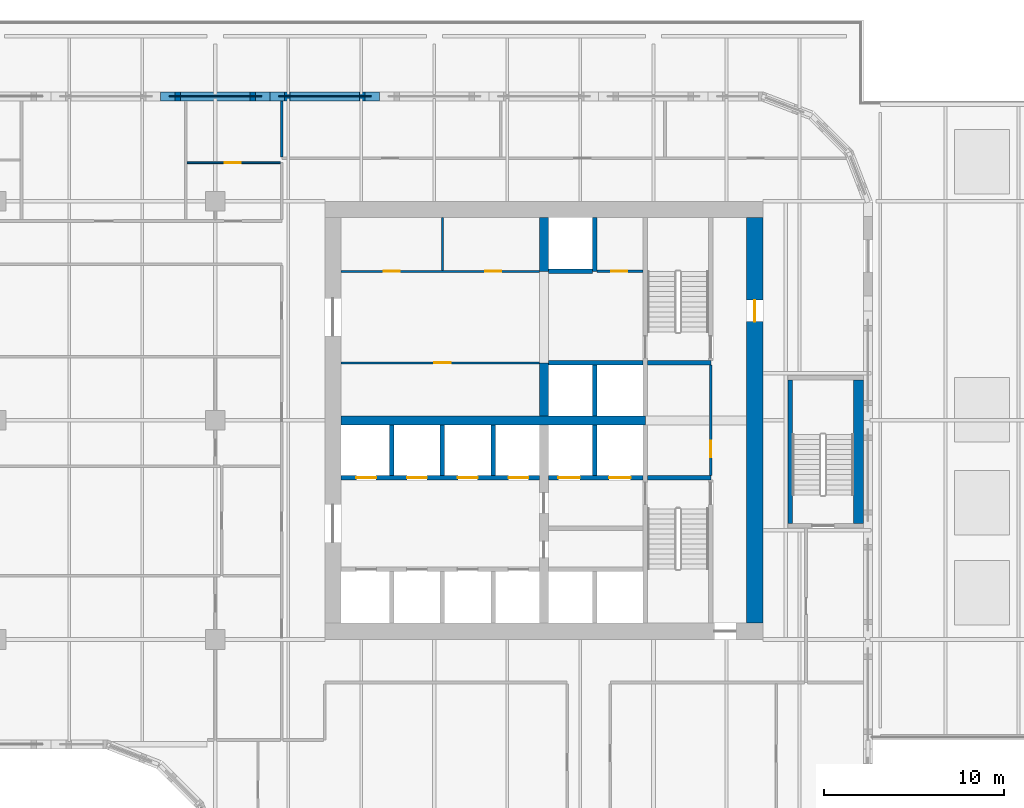
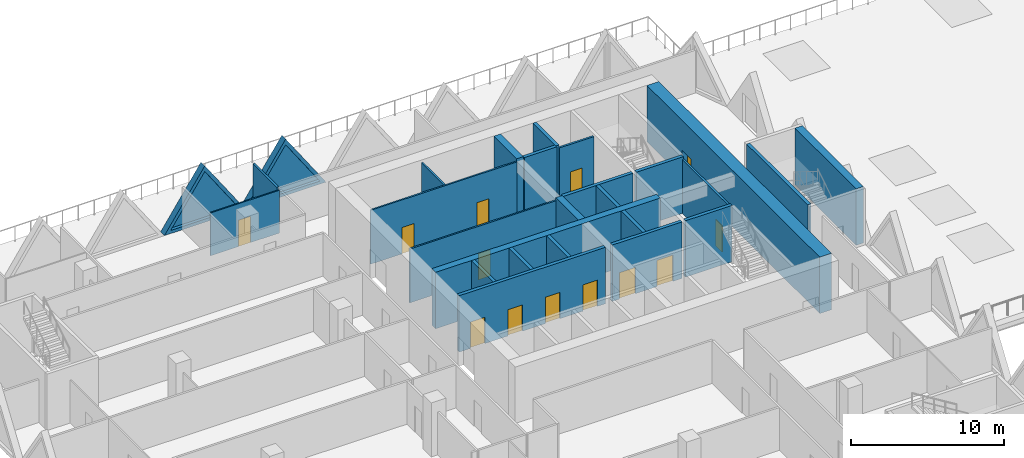
# One storey, part 11 of 21: 27 walls, 13 doors, 2 plates, 15 openings.
"""IFC4 building model written with IfcOpenShell, lengths in metres."""

from ifc_helpers import new_model, si_unit, direction, frame, frame_2d, origin, place, context, subcontext, project, spatial, polyline, rectangle, outline, extrude, faceted_brep, source, transform, mapped, material, layer, layer_set, type_object, element, fill, save


model = new_model("IFC4")

# Units and contexts
model_context = context("Model", 3, precision=1e-05, world=origin(), true_north=direction((0.0, 1.0)))
body_context = subcontext(model_context, "Body", "Model", "MODEL_VIEW")
ifc_project = project(units=[si_unit("LENGTHUNIT", "METRE"), si_unit("AREAUNIT", "SQUARE_METRE"), si_unit("VOLUMEUNIT", "CUBIC_METRE"), si_unit("PLANEANGLEUNIT", "RADIAN"), si_unit("MASSUNIT", "GRAM", prefix="KILO")], contexts=[model_context])

# Site, building, storey
site_placement = place(None, origin())
site = spatial("IfcSite", under=ifc_project, at=site_placement, CompositionType="ELEMENT")
building_placement = place(site_placement, origin())
building = spatial("IfcBuilding", under=site, at=building_placement, Name="Tessera Gate Towers", CompositionType="ELEMENT")
storey_placement = place(building_placement, frame((0.0, 0.0, 16.800048828125)))
storey = spatial("IfcBuildingStorey", under=building, at=storey_placement, Name="L03", CompositionType="ELEMENT", Elevation=16.800048828125)

# Wall, openings, doors
ifc_material_1 = material(Name="Concrete C40/50", Category="concrete")
ifc_layer_1 = layer(ifc_material_1, 0.25)
ifc_layer_set_1 = layer_set([ifc_layer_1], Name="CORE ENCLOSURE WALL 250")
wall_type_1 = type_object("IfcWallType", Name="CORE ENCLOSURE WALL 250", PredefinedType="SOLIDWALL", material=ifc_layer_set_1)
wall_1_placement = place(storey_placement, frame((42.449951171875, 33.39990234375, 0.0), z_axis=(0.0, 0.0, 1.0), x_axis=(-1.0, 0.0, 0.0)))
wall_1 = element("IfcWall", 1, at=wall_1_placement, inside=storey, type_object=wall_type_1, Name="L03 shaft and stair enclosure wall", PredefinedType="SOLIDWALL", context=body_context, shape_type="SweptSolid", body=[
    extrude(rectangle(XDim=11.050048828125, YDim=0.25, at=frame_2d((5.52490234375, 0.0))), origin(), (0.0, 0.0, 1.0), 4.5),
])
shared_shape_1 = source(origin(), body_context, "Body", "SweptSolid", [
    extrude(rectangle(XDim=1.10009765625, YDim=2.10009765625, at=frame_2d((0.550048828125, 1.050048828125))), frame((0.0, 0.135009765625, 0.0), z_axis=(0.0, -1.0, 0.0), x_axis=(1.0, 0.0, 0.0)), (0.0, 0.0, 1.0), 0.27001953125),
])
opening_1_placement = place(wall_1_placement, frame((9.08740234375, 0.0, 0.0)))
opening_1 = element("IfcOpeningElement", 2, at=opening_1_placement, cuts=wall_1, Name="Opening LD-LR5", PredefinedType="OPENING", context=body_context, shape_type="MappedRepresentation", body=[
    mapped(shared_shape_1, transform((0.0, 0.0, 0.0), scale=1.0)),
])
opening_2_placement = place(wall_1_placement, frame((6.262451171875, 0.0, 0.0)))
opening_2 = element("IfcOpeningElement", 3, at=opening_2_placement, cuts=wall_1, Name="Opening LD-LR6", PredefinedType="OPENING", context=body_context, shape_type="MappedRepresentation", body=[
    mapped(shared_shape_1, transform((0.0, 0.0, 0.0), scale=1.0)),
])
opening_3_placement = place(wall_1_placement, frame((3.4375, 0.0, 0.0)))
opening_3 = element("IfcOpeningElement", 4, at=opening_3_placement, cuts=wall_1, Name="Opening LD-LR7", PredefinedType="OPENING", context=body_context, shape_type="MappedRepresentation", body=[
    mapped(shared_shape_1, transform((0.0, 0.0, 0.0), scale=1.0)),
])
opening_4_placement = place(wall_1_placement, frame((0.612548828125, 0.0, 0.0)))
opening_4 = element("IfcOpeningElement", 5, at=opening_4_placement, cuts=wall_1, Name="Opening LD-LR8", PredefinedType="OPENING", context=body_context, shape_type="MappedRepresentation", body=[
    mapped(shared_shape_1, transform((0.0, 0.0, 0.0), scale=1.0)),
])
ifc_material_2 = material(Name="Stainless steel", Category="steel")
door_type_1 = type_object("IfcDoorType", Name="CORE DOOR LD 1100x2100", OperationType="DOUBLE_DOOR_SLIDING", PredefinedType="DOOR", material=ifc_material_2)
shared_shape_2 = source(origin(), body_context, "Body", "SweptSolid", [
    extrude(rectangle(XDim=1.10009765625, YDim=2.10009765625, at=frame_2d((0.550048828125, 1.050048828125))), frame((0.0, 0.02490234375, 0.0), z_axis=(0.0, -1.0, 0.0), x_axis=(1.0, 0.0, 0.0)), (0.0, 0.0, 1.0), 0.050048828125),
])
door_1_placement = place(opening_1_placement, origin())
door_1 = element("IfcDoor", 6, at=door_1_placement, inside=storey, type_object=door_type_1, Name="Landing door LR5 L03", OperationType="DOUBLE_DOOR_SLIDING", OverallHeight=2.10009765625, OverallWidth=1.10009765625, PredefinedType="DOOR", context=body_context, shape_type="MappedRepresentation", body=[
    mapped(shared_shape_2, transform((0.0, 0.0, 0.0), scale=1.0)),
])
fill(opening_1, door_1)
door_2_placement = place(opening_2_placement, origin())
door_2 = element("IfcDoor", 7, at=door_2_placement, inside=storey, type_object=door_type_1, Name="Landing door LR6 L03", OperationType="DOUBLE_DOOR_SLIDING", OverallHeight=2.10009765625, OverallWidth=1.10009765625, PredefinedType="DOOR", context=body_context, shape_type="MappedRepresentation", body=[
    mapped(shared_shape_2, transform((0.0, 0.0, 0.0), scale=1.0)),
])
fill(opening_2, door_2)
door_3_placement = place(opening_3_placement, origin())
door_3 = element("IfcDoor", 8, at=door_3_placement, inside=storey, type_object=door_type_1, Name="Landing door LR7 L03", OperationType="DOUBLE_DOOR_SLIDING", OverallHeight=2.10009765625, OverallWidth=1.10009765625, PredefinedType="DOOR", context=body_context, shape_type="MappedRepresentation", body=[
    mapped(shared_shape_2, transform((0.0, 0.0, 0.0), scale=1.0)),
])
fill(opening_3, door_3)
door_4_placement = place(opening_4_placement, origin())
door_4 = element("IfcDoor", 9, at=door_4_placement, inside=storey, type_object=door_type_1, Name="Landing door LR8 L03", OperationType="DOUBLE_DOOR_SLIDING", OverallHeight=2.10009765625, OverallWidth=1.10009765625, PredefinedType="DOOR", context=body_context, shape_type="MappedRepresentation", body=[
    mapped(shared_shape_2, transform((0.0, 0.0, 0.0), scale=1.0)),
])
fill(opening_4, door_4)

wall_2_placement = place(storey_placement, frame((48.22509765625, 33.39990234375, 0.0), z_axis=(0.0, 0.0, 1.0), x_axis=(-1.0, 0.0, 0.0)))
wall_2 = element("IfcWall", 10, at=wall_2_placement, inside=storey, type_object=wall_type_1, Name="L03 shaft and stair enclosure wall", PredefinedType="SOLIDWALL", context=body_context, shape_type="SweptSolid", body=[
    extrude(rectangle(XDim=5.275146484375, YDim=0.25, at=frame_2d((2.6376953125, 0.0))), origin(), (0.0, 0.0, 1.0), 4.5),
])
shared_shape_3 = source(origin(), body_context, "Body", "SweptSolid", [
    extrude(rectangle(XDim=1.199951171875, YDim=2.10009765625, at=frame_2d((0.60009765625, 1.050048828125))), frame((0.0, 0.135009765625, 0.0), z_axis=(0.0, -1.0, 0.0), x_axis=(1.0, 0.0, 0.0)), (0.0, 0.0, 1.0), 0.27001953125),
])
opening_5_placement = place(wall_2_placement, frame((3.512451171875, 0.0, 0.0)))
opening_5 = element("IfcOpeningElement", 11, at=opening_5_placement, cuts=wall_2, Name="Opening LD-FF1", PredefinedType="OPENING", context=body_context, shape_type="MappedRepresentation", body=[
    mapped(shared_shape_3, transform((0.0, 0.0, 0.0), scale=1.0)),
])
opening_6_placement = place(wall_2_placement, frame((0.6875, 0.0, 0.0)))
opening_6 = element("IfcOpeningElement", 12, at=opening_6_placement, cuts=wall_2, Name="Opening LD-FF2", PredefinedType="OPENING", context=body_context, shape_type="MappedRepresentation", body=[
    mapped(shared_shape_3, transform((0.0, 0.0, 0.0), scale=1.0)),
])
ifc_material_3 = material(Name="Stainless steel", Category="steel")
door_type_2 = type_object("IfcDoorType", Name="CORE DOOR LD1200 1200x2100", OperationType="DOUBLE_DOOR_SLIDING", PredefinedType="DOOR", material=ifc_material_3)
shared_shape_4 = source(origin(), body_context, "Body", "SweptSolid", [
    extrude(rectangle(XDim=1.199951171875, YDim=2.10009765625, at=frame_2d((0.60009765625, 1.050048828125))), frame((0.0, 0.02490234375, 0.0), z_axis=(0.0, -1.0, 0.0), x_axis=(1.0, 0.0, 0.0)), (0.0, 0.0, 1.0), 0.050048828125),
])
door_5_placement = place(opening_5_placement, origin())
door_5 = element("IfcDoor", 13, at=door_5_placement, inside=storey, type_object=door_type_2, Name="Landing door FF1 L03", OperationType="DOUBLE_DOOR_SLIDING", OverallHeight=2.10009765625, OverallWidth=1.199951171875, PredefinedType="DOOR", context=body_context, shape_type="MappedRepresentation", body=[
    mapped(shared_shape_4, transform((0.0, 0.0, 0.0), scale=1.0)),
])
fill(opening_5, door_5)
door_6_placement = place(opening_6_placement, origin())
door_6 = element("IfcDoor", 14, at=door_6_placement, inside=storey, type_object=door_type_2, Name="Landing door FF2 L03", OperationType="DOUBLE_DOOR_SLIDING", OverallHeight=2.10009765625, OverallWidth=1.199951171875, PredefinedType="DOOR", context=body_context, shape_type="MappedRepresentation", body=[
    mapped(shared_shape_4, transform((0.0, 0.0, 0.0), scale=1.0)),
])
fill(opening_6, door_6)

# Walls
wall_3_placement = place(storey_placement, frame((48.47509765625, 33.39990234375, 0.0), z_axis=(0.0, 0.0, 1.0), x_axis=(1.0, 0.0, 0.0)))
element("IfcWall", 15, at=wall_3_placement, inside=storey, type_object=wall_type_1, Name="L03 shaft and stair enclosure wall", PredefinedType="SOLIDWALL", context=body_context, shape_type="SweptSolid", body=[
    extrude(rectangle(XDim=3.52490234375, YDim=0.25, at=frame_2d((1.762451171875, 0.0))), origin(), (0.0, 0.0, 1.0), 4.5),
])
wall_4_placement = place(storey_placement, frame((42.949951171875, 39.800048828125, 0.0), z_axis=(0.0, 0.0, 1.0), x_axis=(1.0, 0.0, 0.0)))
element("IfcWall", 16, at=wall_4_placement, inside=storey, type_object=wall_type_1, Name="L03 shaft and stair enclosure wall", PredefinedType="SOLIDWALL", context=body_context, shape_type="SweptSolid", body=[
    extrude(rectangle(XDim=5.275146484375, YDim=0.25, at=frame_2d((2.6376953125, 0.0))), origin(), (0.0, 0.0, 1.0), 4.5),
])
wall_5_placement = place(storey_placement, frame((48.47509765625, 39.800048828125, 0.0), z_axis=(0.0, 0.0, 1.0), x_axis=(1.0, 0.0, 0.0)))
element("IfcWall", 17, at=wall_5_placement, inside=storey, type_object=wall_type_1, Name="L03 shaft and stair enclosure wall", PredefinedType="SOLIDWALL", context=body_context, shape_type="SweptSolid", body=[
    extrude(rectangle(XDim=3.52490234375, YDim=0.25, at=frame_2d((1.762451171875, 0.0))), origin(), (0.0, 0.0, 1.0), 4.5),
])
wall_6_placement = place(storey_placement, frame((45.52490234375, 33.52490234375, 0.0), z_axis=(0.0, 0.0, 1.0), x_axis=(0.0, 1.0, 0.0)))
element("IfcWall", 18, at=wall_6_placement, inside=storey, type_object=wall_type_1, Name="L03 shaft and stair enclosure wall", PredefinedType="SOLIDWALL", context=body_context, shape_type="SweptSolid", body=[
    extrude(rectangle(XDim=2.8251953125, YDim=0.25, at=frame_2d((1.41259765625, 0.0))), origin(), (0.0, 0.0, 1.0), 4.5),
])
wall_7_placement = place(storey_placement, frame((45.52490234375, 36.85009765625, 0.0), z_axis=(0.0, 0.0, 1.0), x_axis=(0.0, 1.0, 0.0)))
element("IfcWall", 19, at=wall_7_placement, inside=storey, type_object=wall_type_1, Name="L03 shaft and stair enclosure wall", PredefinedType="SOLIDWALL", context=body_context, shape_type="SweptSolid", body=[
    extrude(rectangle(XDim=2.824951171875, YDim=0.25, at=frame_2d((1.41259765625, 0.0))), origin(), (0.0, 0.0, 1.0), 4.5),
])
for number, where, z_axis, x_axis, name in (
    (20, (34.22509765625, 33.52490234375, 0.0), (0.0, 0.0, 1.0), (0.0, 1.0, 0.0), "L03 shaft and stair enclosure wall"),
    (21, (37.050048828125, 33.52490234375, 0.0), (0.0, 0.0, 1.0), (0.0, 1.0, 0.0), "L03 shaft and stair enclosure wall"),
    (22, (39.875, 33.52490234375, 0.0), (0.0, 0.0, 1.0), (0.0, 1.0, 0.0), "L03 shaft and stair enclosure wall"),
):
    element("IfcWall", number, at=place(storey_placement, frame(where, z_axis=z_axis, x_axis=x_axis)), inside=storey, type_object=wall_type_1, Name=name, PredefinedType="SOLIDWALL", context=body_context, shape_type="SweptSolid", body=[
        extrude(rectangle(XDim=2.8251953125, YDim=0.25, at=frame_2d((1.41259765625, 0.0))), origin(), (0.0, 0.0, 1.0), 4.5),
    ])
wall_8_placement = place(storey_placement, frame((45.52490234375, 44.89990234375, 0.0), z_axis=(0.0, 0.0, 1.0), x_axis=(0.0, 1.0, 0.0)))
element("IfcWall", 23, at=wall_8_placement, inside=storey, type_object=wall_type_1, Name="L03 shaft and stair enclosure wall", PredefinedType="SOLIDWALL", context=body_context, shape_type="SweptSolid", body=[
    extrude(rectangle(XDim=3.0, YDim=0.25, at=frame_2d((1.5, 0.0))), origin(), (0.0, 0.0, 1.0), 4.5),
])
wall_9_placement = place(storey_placement, frame((42.949951171875, 44.89990234375, 0.0), z_axis=(0.0, 0.0, 1.0), x_axis=(1.0, 0.0, 0.0)))
element("IfcWall", 24, at=wall_9_placement, inside=storey, type_object=wall_type_1, Name="L03 shaft and stair enclosure wall", PredefinedType="SOLIDWALL", context=body_context, shape_type="SweptSolid", body=[
    extrude(rectangle(XDim=2.449951171875, YDim=0.25, at=frame_2d((1.22509765625, 0.0))), origin(), (0.0, 0.0, 1.0), 4.5),
])
wall_10_placement = place(storey_placement, frame((56.425048828125, 30.85009765625, 0.0), z_axis=(0.0, 0.0, 1.0), x_axis=(0.0, 1.0, 0.0)))
element("IfcWall", 25, at=wall_10_placement, inside=storey, type_object=wall_type_1, Name="L03 ST5 enclosure wall", PredefinedType="SOLIDWALL", context=body_context, shape_type="SweptSolid", body=[
    extrude(rectangle(XDim=8.0, YDim=0.25, at=frame_2d((4.0, 0.0))), origin(), (0.0, 0.0, 1.0), 4.5),
])
ifc_material_4 = material(Name="Concrete C40/50", Category="concrete")
ifc_layer_2 = layer(ifc_material_4, 0.550048828125)
ifc_layer_set_2 = layer_set([ifc_layer_2], Name="CORE ENCLOSURE WALL 550")
wall_type_2 = type_object("IfcWallType", Name="CORE ENCLOSURE WALL 550", PredefinedType="SOLIDWALL", material=ifc_layer_set_2)
wall_11_placement = place(storey_placement, frame((60.22509765625, 38.85009765625, 0.0), z_axis=(0.0, 0.0, 1.0), x_axis=(0.0, -1.0, 0.0)))
element("IfcWall", 26, at=wall_11_placement, inside=storey, type_object=wall_type_2, Name="L03 ST5 enclosure wall", PredefinedType="SOLIDWALL", context=body_context, shape_type="SweptSolid", body=[
    extrude(rectangle(XDim=8.0, YDim=0.550048828125, at=frame_2d((4.0, 0.0))), origin(), (0.0, 0.0, 1.0), 4.5),
])

# Wall, opening, door
ifc_material_5 = material(Name="Gypsum board on steel studs", Category="steel")
ifc_layer_3 = layer(ifc_material_5, 0.1201171875)
ifc_layer_set_3 = layer_set([ifc_layer_3], Name="CORE PARTITION 120")
wall_type_3 = type_object("IfcWallType", Name="CORE PARTITION 120", PredefinedType="PARTITIONING", material=ifc_layer_set_3)
wall_12_placement = place(storey_placement, frame((42.449951171875, 39.800048828125, 0.0), z_axis=(0.0, 0.0, 1.0), x_axis=(-1.0, 0.0, 0.0)))
wall_12 = element("IfcWall", 27, at=wall_12_placement, inside=storey, type_object=wall_type_3, Name="L03 core partition", PredefinedType="PARTITIONING", context=body_context, shape_type="SweptSolid", body=[
    extrude(rectangle(XDim=11.050048828125, YDim=0.1201171875, at=frame_2d((5.52490234375, 0.0))), origin(), (0.0, 0.0, 1.0), 4.300048828125),
])
shared_shape_5 = source(origin(), body_context, "Body", "SweptSolid", [
    extrude(rectangle(XDim=0.89990234375, YDim=2.10009765625, at=frame_2d((0.449951171875, 1.050048828125))), frame((0.0, 0.070068359375, 0.0), z_axis=(0.0, -1.0, 0.0), x_axis=(1.0, 0.0, 0.0)), (0.0, 0.0, 1.0), 0.14013671875),
])
opening_7_placement = place(wall_12_placement, frame((4.949951171875, 0.0, 0.0)))
opening_7 = element("IfcOpeningElement", 28, at=opening_7_placement, cuts=wall_12, Name="Opening RD-T1-04-07", PredefinedType="OPENING", context=body_context, shape_type="MappedRepresentation", body=[
    mapped(shared_shape_5, transform((0.0, 0.0, 0.0), scale=1.0)),
])
ifc_material_6 = material(Name="Hollow steel fire door", Category="steel")
door_type_3 = type_object("IfcDoorType", Name="CORE DOOR RD 900x2100", OperationType="NOTDEFINED", PredefinedType="DOOR", material=ifc_material_6)
shared_shape_6 = source(origin(), body_context, "Body", "SweptSolid", [
    extrude(rectangle(XDim=0.89990234375, YDim=2.10009765625, at=frame_2d((0.449951171875, 1.050048828125))), frame((0.0, 0.02490234375, 0.0), z_axis=(0.0, -1.0, 0.0), x_axis=(1.0, 0.0, 0.0)), (0.0, 0.0, 1.0), 0.050048828125),
])
door_7_placement = place(opening_7_placement, origin())
door_7 = element("IfcDoor", 29, at=door_7_placement, inside=storey, type_object=door_type_3, Name="Core room door", OperationType="SINGLE_SWING_LEFT", OverallHeight=2.10009765625, OverallWidth=0.89990234375, PredefinedType="DOOR", context=body_context, shape_type="MappedRepresentation", body=[
    mapped(shared_shape_6, transform((0.0, 0.0, 0.0), scale=1.0)),
])
fill(opening_7, door_7)

# Wall, openings, doors
wall_13_placement = place(storey_placement, frame((31.39990234375, 44.89990234375, 0.0), z_axis=(0.0, 0.0, 1.0), x_axis=(1.0, 0.0, 0.0)))
wall_13 = element("IfcWall", 30, at=wall_13_placement, inside=storey, type_object=wall_type_3, Name="L03 core partition", PredefinedType="PARTITIONING", context=body_context, shape_type="SweptSolid", body=[
    extrude(rectangle(XDim=11.050048828125, YDim=0.1201171875, at=frame_2d((5.52490234375, 0.0))), origin(), (0.0, 0.0, 1.0), 4.300048828125),
])
opening_8_placement = place(wall_13_placement, frame((2.375, 0.0, 0.0)))
opening_8 = element("IfcOpeningElement", 31, at=opening_8_placement, cuts=wall_13, Name="Opening RD-T1-04-08", PredefinedType="OPENING", context=body_context, shape_type="MappedRepresentation", body=[
    mapped(shared_shape_5, transform((0.0, 0.0, 0.0), scale=1.0)),
])
opening_9_placement = place(wall_13_placement, frame((8.02490234375, 0.0, 0.0)))
opening_9 = element("IfcOpeningElement", 32, at=opening_9_placement, cuts=wall_13, Name="Opening RD-T1-04-09", PredefinedType="OPENING", context=body_context, shape_type="MappedRepresentation", body=[
    mapped(shared_shape_5, transform((0.0, 0.0, 0.0), scale=1.0)),
])
door_8_placement = place(opening_8_placement, origin())
door_8 = element("IfcDoor", 33, at=door_8_placement, inside=storey, type_object=door_type_3, Name="Core room door", OperationType="SINGLE_SWING_LEFT", OverallHeight=2.10009765625, OverallWidth=0.89990234375, PredefinedType="DOOR", context=body_context, shape_type="MappedRepresentation", body=[
    mapped(shared_shape_6, transform((0.0, 0.0, 0.0), scale=1.0)),
])
fill(opening_8, door_8)
door_9_placement = place(opening_9_placement, origin())
door_9 = element("IfcDoor", 34, at=door_9_placement, inside=storey, type_object=door_type_3, Name="Core room door", OperationType="SINGLE_SWING_RIGHT", OverallHeight=2.10009765625, OverallWidth=0.89990234375, PredefinedType="DOOR", context=body_context, shape_type="MappedRepresentation", body=[
    mapped(shared_shape_6, transform((0.0, 0.0, 0.0), scale=1.0)),
])
fill(opening_9, door_9)

# Wall
wall_14_placement = place(storey_placement, frame((37.050048828125, 44.9599609375, 0.0), z_axis=(0.0, 0.0, 1.0), x_axis=(0.0, 1.0, 0.0)))
element("IfcWall", 35, at=wall_14_placement, inside=storey, type_object=wall_type_3, Name="L03 core partition", PredefinedType="PARTITIONING", context=body_context, shape_type="SweptSolid", body=[
    extrude(rectangle(XDim=2.93994140625, YDim=0.1201171875, at=frame_2d((1.469970703125, 0.0))), origin(), (0.0, 0.0, 1.0), 4.300048828125),
])

# Wall, opening, door
ifc_material_7 = material(Name="Concrete C70/85", Category="concrete")
ifc_layer_4 = layer(ifc_material_7, 0.89990234375)
ifc_layer_set_4 = layer_set([ifc_layer_4], Name="CORE SHEAR WALL 900 C70/85")
wall_type_4 = type_object("IfcWallType", Name="CORE SHEAR WALL 900 C70/85", PredefinedType="SHEAR", material=ifc_layer_set_4)
wall_15_placement = place(storey_placement, frame((54.449951171875, 47.89990234375, 0.0), z_axis=(0.0, 0.0, 1.0), x_axis=(0.0, -1.0, 0.0)))
wall_15 = element("IfcWall", 36, at=wall_15_placement, inside=storey, type_object=wall_type_4, Name="Core wall E L03", PredefinedType="SHEAR", context=body_context, shape_type="SweptSolid", body=[
    extrude(rectangle(XDim=22.599853515625, YDim=0.89990234375, at=frame_2d((11.2998046875, 0.0))), origin(), (0.0, 0.0, 1.0), 4.5),
])
shared_shape_7 = source(origin(), body_context, "Body", "SweptSolid", [
    extrude(rectangle(XDim=1.199951171875, YDim=2.10009765625, at=frame_2d((0.60009765625, 1.050048828125))), frame((0.0, 0.4599609375, 0.0), z_axis=(0.0, -1.0, 0.0), x_axis=(1.0, 0.0, 0.0)), (0.0, 0.0, 1.0), 0.919921875),
])
opening_10_placement = place(wall_15_placement, frame((4.60009765625, 0.0, 0.0)))
opening_10 = element("IfcOpeningElement", 37, at=opening_10_placement, cuts=wall_15, Name="Opening ED-T1-04-04", PredefinedType="OPENING", context=body_context, shape_type="MappedRepresentation", body=[
    mapped(shared_shape_7, transform((0.0, 0.0, 0.0), scale=1.0)),
])
ifc_material_8 = material(Name="Hollow steel fire door", Category="steel")
door_type_4 = type_object("IfcDoorType", Name="CORE DOOR ED 1200x2100", OperationType="NOTDEFINED", PredefinedType="DOOR", material=ifc_material_8)
door_10_placement = place(opening_10_placement, origin())
door_10 = element("IfcDoor", 38, at=door_10_placement, inside=storey, type_object=door_type_4, Name="Core exit door", OperationType="SINGLE_SWING_LEFT", OverallHeight=2.10009765625, OverallWidth=1.199951171875, PredefinedType="DOOR", context=body_context, shape_type="MappedRepresentation", body=[
    mapped(shared_shape_4, transform((0.0, 0.0, 0.0), scale=1.0)),
])
fill(opening_10, door_10)

# Walls
ifc_material_9 = material(Name="Concrete C70/85", Category="concrete")
ifc_layer_5 = layer(ifc_material_9, 0.5)
ifc_layer_set_5 = layer_set([ifc_layer_5], Name="CORE SPINE WALL 500 C70/85")
wall_type_5 = type_object("IfcWallType", Name="CORE SPINE WALL 500 C70/85", PredefinedType="SHEAR", material=ifc_layer_set_5)
wall_16_placement = place(storey_placement, frame((31.39990234375, 36.60009765625, 0.0), z_axis=(0.0, 0.0, 1.0), x_axis=(1.0, 0.0, 0.0)))
element("IfcWall", 39, at=wall_16_placement, inside=storey, type_object=wall_type_5, Name="Core wall spine L03", PredefinedType="SHEAR", context=body_context, shape_type="SweptSolid", body=[
    extrude(rectangle(XDim=16.9501953125, YDim=0.5, at=frame_2d((8.47509765625, 0.0))), origin(), (0.0, 0.0, 1.0), 4.5),
])
wall_17_placement = place(storey_placement, frame((42.699951171875, 36.85009765625, 0.0), z_axis=(0.0, 0.0, 1.0), x_axis=(0.0, 1.0, 0.0)))
element("IfcWall", 40, at=wall_17_placement, inside=storey, type_object=wall_type_5, Name="Core wall spine L03", PredefinedType="SHEAR", context=body_context, shape_type="SweptSolid", body=[
    extrude(rectangle(XDim=2.949951171875, YDim=0.5, at=frame_2d((1.47509765625, 0.0))), origin(), (0.0, 0.0, 1.0), 4.5),
])
wall_18_placement = place(storey_placement, frame((42.699951171875, 44.89990234375, 0.0), z_axis=(0.0, 0.0, 1.0), x_axis=(0.0, 1.0, 0.0)))
element("IfcWall", 41, at=wall_18_placement, inside=storey, type_object=wall_type_5, Name="Core wall spine L03", PredefinedType="SHEAR", context=body_context, shape_type="SweptSolid", body=[
    extrude(rectangle(XDim=3.0, YDim=0.5, at=frame_2d((1.5, 0.0))), origin(), (0.0, 0.0, 1.0), 4.5),
])

# Wall, opening, door
ifc_material_10 = material(Name="Gypsum board on steel studs", Category="steel")
ifc_layer_6 = layer(ifc_material_10, 0.10009765625)
ifc_layer_set_6 = layer_set([ifc_layer_6], Name="PARTITION 100")
wall_type_6 = type_object("IfcWallType", Name="PARTITION 100", PredefinedType="PARTITIONING", material=ifc_layer_set_6)
wall_19_placement = place(storey_placement, frame((22.825927734375, 50.949951171875, 0.0), z_axis=(0.0, 0.0, 1.0), x_axis=(1.0, 0.0, 0.0)))
wall_19 = element("IfcWall", 42, at=wall_19_placement, inside=storey, type_object=wall_type_6, Name="T1-L03-PW-049", PredefinedType="PARTITIONING", context=body_context, shape_type="SweptSolid", body=[
    extrude(rectangle(XDim=5.197998046875, YDim=0.10009765625, at=frame_2d((2.59912109375, 0.0))), origin(), (0.0, 0.0, 1.0), 3.4150390625),
])
shared_shape_8 = source(origin(), body_context, "Body", "SweptSolid", [
    extrude(rectangle(XDim=0.89990234375, YDim=2.10009765625, at=frame_2d((0.449951171875, 1.050048828125))), frame((0.0, 0.06005859375, 0.0), z_axis=(0.0, -1.0, 0.0), x_axis=(1.0, 0.0, 0.0)), (0.0, 0.0, 1.0), 0.1201171875),
])
opening_11_placement = place(wall_19_placement, frame((2.10009765625, 0.0, 0.0)))
opening_11 = element("IfcOpeningElement", 43, at=opening_11_placement, cuts=wall_19, Name="Opening D190-A00-06", PredefinedType="OPENING", context=body_context, shape_type="MappedRepresentation", body=[
    mapped(shared_shape_8, transform((0.0, 0.0, 0.0), scale=1.0)),
])
ifc_material_11 = material(Name="Timber door leaf in steel frame", Category="steel")
door_type_5 = type_object("IfcDoorType", Name="INTERNAL DOOR 900 NOT RATED", OperationType="NOTDEFINED", PredefinedType="DOOR", material=ifc_material_11)
door_11_placement = place(opening_11_placement, origin())
door_11 = element("IfcDoor", 44, at=door_11_placement, inside=storey, type_object=door_type_5, Name="T1-L03-PD-008", OperationType="SINGLE_SWING_LEFT", OverallHeight=2.10009765625, OverallWidth=0.89990234375, PredefinedType="DOOR", context=body_context, shape_type="MappedRepresentation", body=[
    mapped(shared_shape_6, transform((0.0, 0.0, 0.0), scale=1.0)),
])
fill(opening_11, door_11)

ifc_material_12 = material(Name="Gypsum board on steel studs", Category="steel")
ifc_layer_7 = layer(ifc_material_12, 0.14990234375)
ifc_layer_set_7 = layer_set([ifc_layer_7], Name="SERVICE ROOM WALL 150")
wall_type_7 = type_object("IfcWallType", Name="SERVICE ROOM WALL 150", PredefinedType="PARTITIONING", material=ifc_layer_set_7)
wall_20_placement = place(storey_placement, frame((52.0, 33.52490234375, 0.0), z_axis=(0.0, 0.0, 1.0), x_axis=(0.0, 1.0, 0.0)))
wall_20 = element("IfcWall", 45, at=wall_20_placement, inside=storey, type_object=wall_type_7, Name="L03 service room wall", PredefinedType="PARTITIONING", context=body_context, shape_type="SweptSolid", body=[
    extrude(rectangle(XDim=6.150146484375, YDim=0.14990234375, at=frame_2d((3.0751953125, 0.0))), origin(), (0.0, 0.0, 1.0), 4.300048828125),
])
shared_shape_9 = source(origin(), body_context, "Body", "SweptSolid", [
    extrude(rectangle(XDim=0.89990234375, YDim=2.10009765625, at=frame_2d((0.449951171875, 1.050048828125))), frame((0.0, 0.0849609375, 0.0), z_axis=(0.0, -1.0, 0.0), x_axis=(1.0, 0.0, 0.0)), (0.0, 0.0, 1.0), 0.169921875),
])
opening_12_placement = place(wall_20_placement, frame((1.02490234375, 0.0, 0.0)))
opening_12 = element("IfcOpeningElement", 46, at=opening_12_placement, cuts=wall_20, Name="Opening RD-T1-04-10", PredefinedType="OPENING", context=body_context, shape_type="MappedRepresentation", body=[
    mapped(shared_shape_9, transform((0.0, 0.0, 0.0), scale=1.0)),
])
door_12_placement = place(opening_12_placement, origin())
door_12 = element("IfcDoor", 47, at=door_12_placement, inside=storey, type_object=door_type_3, Name="Core room door", OperationType="SINGLE_SWING_LEFT", OverallHeight=2.10009765625, OverallWidth=0.89990234375, PredefinedType="DOOR", context=body_context, shape_type="MappedRepresentation", body=[
    mapped(shared_shape_6, transform((0.0, 0.0, 0.0), scale=1.0)),
])
fill(opening_12, door_12)

wall_21_placement = place(storey_placement, frame((45.64990234375, 44.89990234375, 0.0), z_axis=(0.0, 0.0, 1.0), x_axis=(1.0, 0.0, 0.0)))
wall_21 = element("IfcWall", 48, at=wall_21_placement, inside=storey, type_object=wall_type_7, Name="L03 service room wall", PredefinedType="PARTITIONING", context=body_context, shape_type="SweptSolid", body=[
    extrude(rectangle(XDim=2.5751953125, YDim=0.14990234375, at=frame_2d((1.28759765625, 0.0))), origin(), (0.0, 0.0, 1.0), 4.300048828125),
])
opening_13_placement = place(wall_21_placement, frame((0.800048828125, 0.0, 0.0)))
opening_13 = element("IfcOpeningElement", 49, at=opening_13_placement, cuts=wall_21, Name="Opening RD-T1-04-11", PredefinedType="OPENING", context=body_context, shape_type="MappedRepresentation", body=[
    mapped(shared_shape_9, transform((0.0, 0.0, 0.0), scale=1.0)),
])
door_13_placement = place(opening_13_placement, origin())
door_13 = element("IfcDoor", 50, at=door_13_placement, inside=storey, type_object=door_type_3, Name="Core room door", OperationType="SINGLE_SWING_LEFT", OverallHeight=2.10009765625, OverallWidth=0.89990234375, PredefinedType="DOOR", context=body_context, shape_type="MappedRepresentation", body=[
    mapped(shared_shape_6, transform((0.0, 0.0, 0.0), scale=1.0)),
])
fill(opening_13, door_13)

# Wall
ifc_material_13 = material(Name="Gypsum board on steel studs, mineral wool", Category="steel")
ifc_layer_8 = layer(ifc_material_13, 0.14990234375)
ifc_layer_set_8 = layer_set([ifc_layer_8], Name="TENANCY WALL 150")
wall_type_8 = type_object("IfcWallType", Name="TENANCY WALL 150", PredefinedType="PARTITIONING", material=ifc_layer_set_8)
wall_22_placement = place(storey_placement, frame((28.10009765625, 51.27587890625, 0.0), z_axis=(0.0, 0.0, 1.0), x_axis=(0.0, 1.0, 0.0)))
element("IfcWall", 51, at=wall_22_placement, inside=storey, type_object=wall_type_8, Name="T1-L03-PW-053", PredefinedType="PARTITIONING", context=body_context, shape_type="SweptSolid", body=[
    extrude(rectangle(XDim=3.1240234375, YDim=0.14990234375, at=frame_2d((1.56201171875, 0.0))), origin(), (0.0, 0.0, 1.0), 3.4150390625),
])

# Wall, opening, plate
ifc_material_14 = material(Name="Precast concrete C60/75 white", Category="concrete")
ifc_layer_9 = layer(ifc_material_14, 0.5)
ifc_layer_set_9 = layer_set([ifc_layer_9], Name="TS2 half tessera")
wall_type_9 = type_object("IfcWallType", Name="TS2 half tessera", PredefinedType="SOLIDWALL", material=ifc_layer_set_9)
shared_shape_10 = source(origin(), body_context, "Body", "Brep", [
    faceted_brep([(6.099853515625, -0.25, 0.000244140625), (3.050048828125, -0.25, 4.5), (0.0, -0.25, 0.0), (6.099853515625, -0.25, 0.0), (0.0, 0.25, 0.0), (3.050048828125, 0.25, 4.5), (6.099853515625, 0.25, 0.000244140625), (6.099853515625, 0.25, 0.0)], [[[0, 1, 2, 3]], [[4, 5, 6, 7]], [[6, 5, 1, 0]], [[5, 4, 2, 1]], [[4, 7, 3, 2]], [[3, 7, 6, 0]]]),
])
wall_23_placement = place(storey_placement, frame((27.449951171875, 54.64990234375, 0.0), z_axis=(0.0, 0.0, 1.0), x_axis=(-1.0, 0.0, 0.0)))
wall_23 = element("IfcWall", 52, at=wall_23_placement, inside=storey, type_object=wall_type_9, Name="Precast half tessera T1 TS2-0014", PredefinedType="SOLIDWALL", context=body_context, shape_type="MappedRepresentation", body=[
    mapped(shared_shape_10, transform((0.0, 0.0, 0.0), scale=1.0)),
])
shared_shape_11 = source(origin(), body_context, "Body", "SweptSolid", [
    extrude(outline(polyline([(5.628662109375, 0.25), (3.050048828125, 4.054443359375), (0.471435546875, 0.25), (5.628662109375, 0.25)])), frame((0.0, 0.260009765625, 0.0), z_axis=(0.0, -1.0, 0.0), x_axis=(1.0, 0.0, 0.0)), (0.0, 0.0, 1.0), 0.52001953125),
])
opening_14_placement = place(wall_23_placement, origin())
opening_14 = element("IfcOpeningElement", 53, at=opening_14_placement, cuts=wall_23, Name="Opening T1-PL1-0024", PredefinedType="OPENING", context=body_context, shape_type="MappedRepresentation", body=[
    mapped(shared_shape_11, transform((0.0, 0.0, 0.0), scale=1.0)),
])
ifc_material_15 = material(Name="Low-e laminated glass", Category="glass")
ifc_layer_10 = layer(ifc_material_15, 0.06005859375)
ifc_layer_set_10 = layer_set([ifc_layer_10], Name="PL1 triangular pane")
plate_type = type_object("IfcPlateType", Name="PL1 triangular pane", PredefinedType="SHEET", material=ifc_layer_set_10)
shared_shape_12 = source(origin(), body_context, "Body", "SweptSolid", [
    extrude(outline(polyline([(5.628662109375, 0.25), (3.050048828125, 4.054443359375), (0.471435546875, 0.25), (5.628662109375, 0.25)])), frame((0.0, 0.030029296875, 0.0), z_axis=(0.0, -1.0, 0.0), x_axis=(1.0, 0.0, 0.0)), (0.0, 0.0, 1.0), 0.06005859375),
])
plate_1_placement = place(opening_14_placement, origin())
plate_1 = element("IfcPlate", 54, at=plate_1_placement, inside=storey, type_object=plate_type, Name="Glass pane T1 PL1-0024", PredefinedType="SHEET", context=body_context, shape_type="MappedRepresentation", body=[
    mapped(shared_shape_12, transform((0.0, 0.0, 0.0), scale=1.0)),
])
fill(opening_14, plate_1)

shared_shape_13 = source(origin(), body_context, "Body", "SweptSolid", [
    extrude(outline(polyline([(6.10009765625, 0.0), (3.050048828125, 4.5), (0.0, 0.0), (6.10009765625, 0.0)])), frame((0.0, 0.25, 0.0), z_axis=(0.0, -1.0, 0.0), x_axis=(1.0, 0.0, 0.0)), (0.0, 0.0, 1.0), 0.5),
])
wall_24_placement = place(storey_placement, frame((33.550048828125, 54.64990234375, 0.0), z_axis=(0.0, 0.0, 1.0), x_axis=(-1.0, 0.0, 0.0)))
wall_24 = element("IfcWall", 55, at=wall_24_placement, inside=storey, type_object=wall_type_9, Name="Precast half tessera T1 TS2-0013", PredefinedType="SOLIDWALL", context=body_context, shape_type="MappedRepresentation", body=[
    mapped(shared_shape_13, transform((0.0, 0.0, 0.0), scale=1.0)),
])
opening_15_placement = place(wall_24_placement, origin())
opening_15 = element("IfcOpeningElement", 56, at=opening_15_placement, cuts=wall_24, Name="Opening T1-PL1-0023", PredefinedType="OPENING", context=body_context, shape_type="MappedRepresentation", body=[
    mapped(shared_shape_11, transform((0.0, 0.0, 0.0), scale=1.0)),
])
plate_2_placement = place(opening_15_placement, origin())
plate_2 = element("IfcPlate", 57, at=plate_2_placement, inside=storey, type_object=plate_type, Name="Glass pane T1 PL1-0023", PredefinedType="SHEET", context=body_context, shape_type="MappedRepresentation", body=[
    mapped(shared_shape_12, transform((0.0, 0.0, 0.0), scale=1.0)),
])
fill(opening_15, plate_2)

save(model, "model.ifc")
